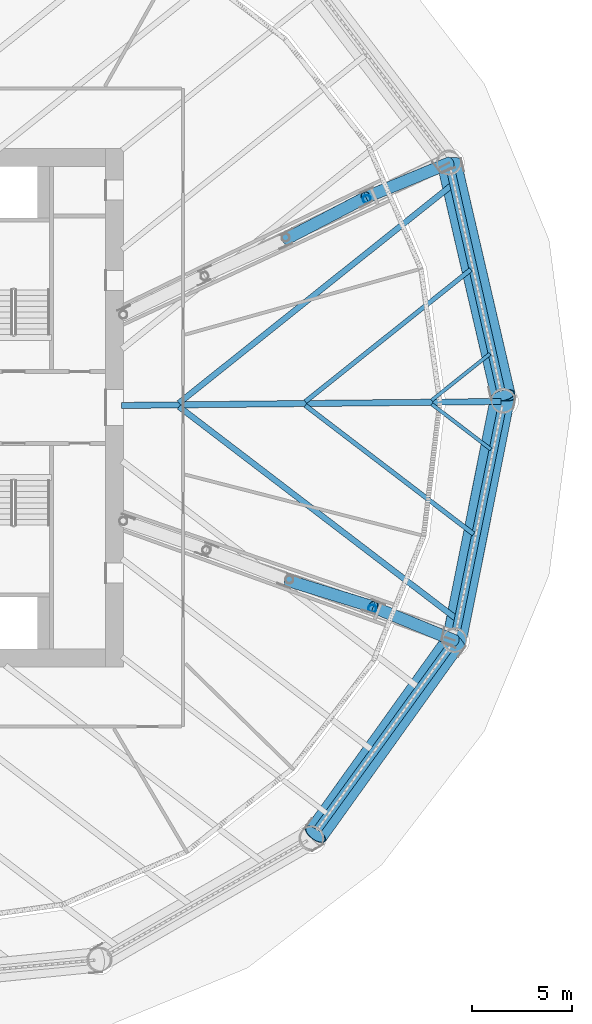
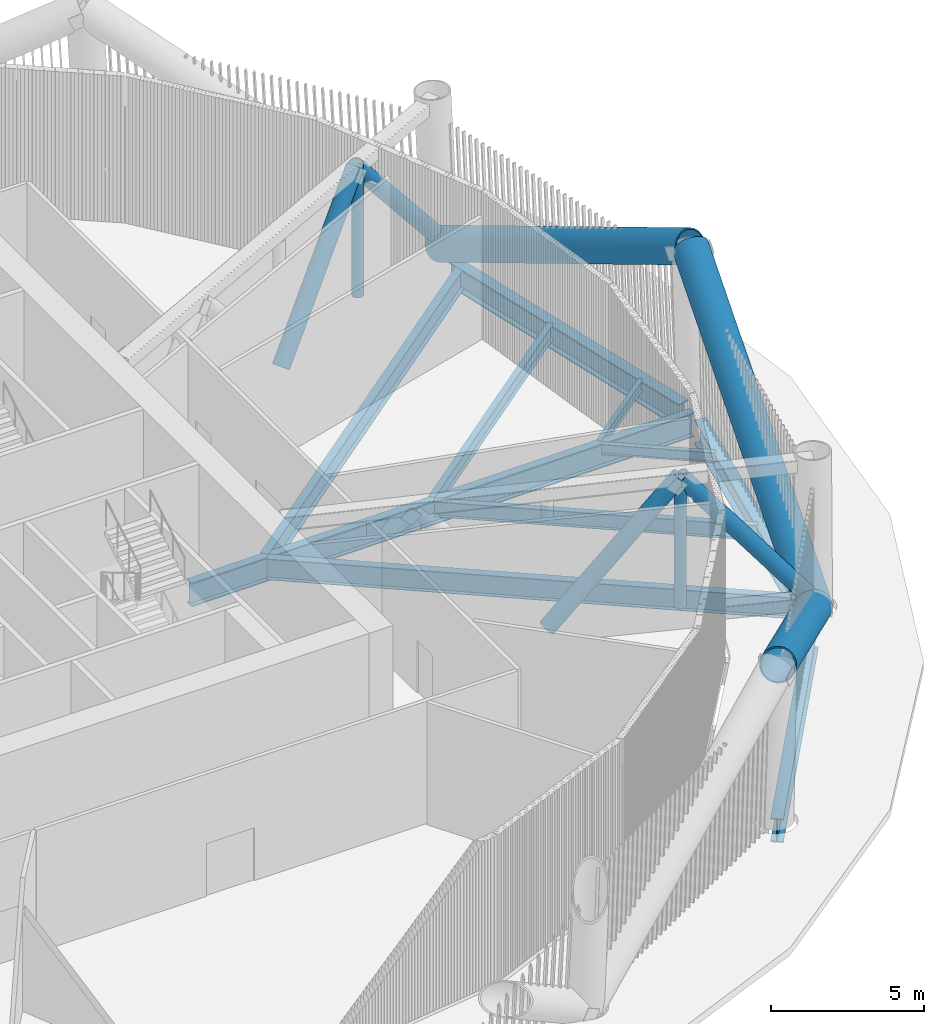
# One storey, part 8 of 48: 10 beams, 9 members.
"""IFC4 building model written with IfcOpenShell, lengths in metres."""

from ifc_helpers import new_model, si_unit, direction, frame, origin, origin_2d, place, context, subcontext, project, spatial, hollow_circle, i_section, extrude, material, material_profile, profile_set, type_object, element, save


model = new_model("IFC4")

# Units and contexts
model_context = context("Model", 3, precision=1e-05, world=origin(), true_north=direction((0.0, 1.0)))
body_context = subcontext(model_context, "Body", "Model", "MODEL_VIEW")
ifc_project = project(units=[si_unit("LENGTHUNIT", "METRE"), si_unit("AREAUNIT", "SQUARE_METRE"), si_unit("VOLUMEUNIT", "CUBIC_METRE"), si_unit("PLANEANGLEUNIT", "RADIAN"), si_unit("MASSUNIT", "GRAM", prefix="KILO")], contexts=[model_context])

# Site, building, storey
site_placement = place(None, origin())
site = spatial("IfcSite", under=ifc_project, at=site_placement, CompositionType="ELEMENT")
building_placement = place(site_placement, origin())
building = spatial("IfcBuilding", under=site, at=building_placement, Name="Tarsis Ring Headquarters", CompositionType="ELEMENT")
storey_placement = place(building_placement, frame((0.0, 0.0, 34.0)))
storey = spatial("IfcBuildingStorey", under=building, at=storey_placement, Name="L06", CompositionType="ELEMENT", Elevation=34.0)

# Beams
ifc_material_1 = material(Name="Structural steel S355", Category="steel")
ifc_material_profile_1 = material_profile(ifc_material_1, i_section(OverallWidth=0.177734375, OverallDepth=0.406494140625, WebThickness=0.0078125, FlangeThickness=0.0126953125, at=origin_2d()), Name="W16x40")
ifc_profile_set_1 = profile_set([ifc_material_profile_1], Name="Structural steel S355")
beam_type_1 = type_object("IfcBeamType", Name="FB Floor beam W16x40", PredefinedType="JOIST", material=ifc_profile_set_1)
beam_1_placement = place(storey_placement, frame((25.457763671875, 0.173095703125, -0.503173828125), z_axis=(0.794430059285, -0.607355646146, 0.0), x_axis=(0.607355646146, 0.794430059285, 0.0)))
element("IfcBeam", 1, at=beam_1_placement, inside=storey, type_object=beam_type_1, Name="Floor beam FB1", PredefinedType="JOIST", context=body_context, shape_type="SweptSolid", body=[
    extrude(i_section(OverallWidth=0.177734375, OverallDepth=0.406494140625, WebThickness=0.0078125, FlangeThickness=0.0126953125, at=origin_2d()), origin(), (0.0, 0.0, 1.0), 3.741455078125),
])
beam_2_placement = place(storey_placement, frame((28.3798828125, 2.6943359375, -0.503173828125), z_axis=(-0.781492268152, -0.623914925947, 0.0), x_axis=(0.623914925947, -0.781492268152, 0.0)))
element("IfcBeam", 2, at=beam_2_placement, inside=storey, type_object=beam_type_1, Name="Floor beam FB1", PredefinedType="JOIST", context=body_context, shape_type="SweptSolid", body=[
    extrude(i_section(OverallWidth=0.177734375, OverallDepth=0.406494140625, WebThickness=0.0078125, FlangeThickness=0.0126953125, at=origin_2d()), origin(), (0.0, 0.0, 1.0), 3.74169921875),
])
ifc_material_profile_2 = material_profile(ifc_material_1, i_section(OverallWidth=0.228271484375, OverallDepth=0.607177734375, WebThickness=0.01123046875, FlangeThickness=0.017333984375, at=origin_2d()), Name="W24x76")
ifc_profile_set_2 = profile_set([ifc_material_profile_2], Name="Structural steel S355")
beam_type_2 = type_object("IfcBeamType", Name="FB Floor beam W24x76", PredefinedType="JOIST", material=ifc_profile_set_2)
beam_3_placement = place(storey_placement, frame((19.123291015625, 0.10693359375, -0.603515625), z_axis=(0.794413286747, -0.607377584242, 0.0), x_axis=(0.607377584242, 0.794413286747, 0.0)))
element("IfcBeam", 3, at=beam_3_placement, inside=storey, type_object=beam_type_2, Name="Floor beam FB4", PredefinedType="JOIST", context=body_context, shape_type="SweptSolid", body=[
    extrude(i_section(OverallWidth=0.228271484375, OverallDepth=0.607177734375, WebThickness=0.01123046875, FlangeThickness=0.017333984375, at=origin_2d()), origin(), (0.0, 0.0, 1.0), 10.621337890625),
])
beam_4_placement = place(storey_placement, frame((27.422119140625, 6.919921875, -0.603515625), z_axis=(-0.781529924884, -0.623867755626, 0.0), x_axis=(0.623867755626, -0.781529924884, 0.0)))
element("IfcBeam", 4, at=beam_4_placement, inside=storey, type_object=beam_type_2, Name="Floor beam FB4", PredefinedType="JOIST", context=body_context, shape_type="SweptSolid", body=[
    extrude(i_section(OverallWidth=0.228271484375, OverallDepth=0.607177734375, WebThickness=0.01123046875, FlangeThickness=0.017333984375, at=origin_2d()), origin(), (0.0, 0.0, 1.0), 10.62109375),
])
ifc_material_profile_3 = material_profile(ifc_material_1, i_section(OverallWidth=0.2919921875, OverallDepth=0.835693359375, WebThickness=0.013916015625, FlangeThickness=0.018798828125, at=origin_2d()), Name="W33x118")
ifc_profile_set_3 = profile_set([ifc_material_profile_3], Name="Structural steel S355")
beam_type_3 = type_object("IfcBeamType", Name="FB Floor beam W33x118", PredefinedType="JOIST", material=ifc_profile_set_3)
for number, where, z_axis, x_axis, name in (
    (5, (12.7890625, 0.04052734375, -0.7177734375), (0.794418016719, -0.607371397674, 0.0), (0.607371397674, 0.794418016719, 0.0), "Floor beam FB7"),
    (6, (26.46435546875, 11.145751953125, -0.7177734375), (-0.781518942379, -0.623881513353, 0.0), (0.623881513353, -0.781518942379, 0.0), "Floor beam FB7"),
):
    element("IfcBeam", number, at=place(storey_placement, frame(where, z_axis=z_axis, x_axis=x_axis)), inside=storey, type_object=beam_type_3, Name=name, PredefinedType="JOIST", context=body_context, shape_type="SweptSolid", body=[
        extrude(i_section(OverallWidth=0.2919921875, OverallDepth=0.835693359375, WebThickness=0.013916015625, FlangeThickness=0.018798828125, at=origin_2d()), origin(), (0.0, 0.0, 1.0), 17.500732421875),
    ])
ifc_material_profile_4 = material_profile(ifc_material_1, i_section(OverallWidth=0.309814453125, OverallDepth=0.949951171875, WebThickness=0.0244140625, FlangeThickness=0.0439453125, at=origin_2d()), Name="W36x256")
ifc_profile_set_4 = profile_set([ifc_material_profile_4], Name="Structural steel S355")
beam_type_4 = type_object("IfcBeamType", Name="FB Floor beam W36x256 spine", PredefinedType="BEAM", material=ifc_profile_set_4)
beam_5_placement = place(storey_placement, frame((28.929931640625, 0.302978515625, -0.77490234375), z_axis=(-0.999945208169, -0.01046807818, 0.0), x_axis=(0.01046807818, -0.999945208169, 0.0)))
element("IfcBeam", 7, at=beam_5_placement, inside=storey, type_object=beam_type_4, Name="Floor beam SB11", PredefinedType="BEAM", context=body_context, shape_type="SweptSolid", body=[
    extrude(i_section(OverallWidth=0.309814453125, OverallDepth=0.949951171875, WebThickness=0.0244140625, FlangeThickness=0.0439453125, at=origin_2d()), origin(), (0.0, 0.0, 1.0), 19.031005859375),
])

# Members
ifc_material_profile_5 = material_profile(ifc_material_1, hollow_circle(Radius=0.3046875, WallThickness=0.02490234375, at=origin_2d()), Name="CHS 610x25")
ifc_profile_set_5 = profile_set([ifc_material_profile_5], Name="Structural steel S355")
member_type_1 = type_object("IfcMemberType", Name="OD Outrigger diagonal CHS 610x25", PredefinedType="BRACE", material=ifc_profile_set_5)
member_1_placement = place(storey_placement, frame((18.297607421875, -8.6884765625, 0.25390625), z_axis=(0.610221070793, -0.189258705459, 0.769292783775), x_axis=(0.296227533583, 0.955117400296, 0.0)))
element("IfcMember", 8, at=member_1_placement, inside=storey, type_object=member_type_1, Name="Outrigger diagonal OD1", PredefinedType="BRACE", context=body_context, shape_type="SweptSolid", body=[
    extrude(hollow_circle(Radius=0.3046875, WallThickness=0.02490234375, at=origin_2d()), origin(), (0.0, 0.0, 1.0), 6.93115234375),
])
member_2_placement = place(storey_placement, frame((22.527099609375, -10.000244140625, 5.5859375), z_axis=(0.588319105647, -0.243476477978, -0.771102998699), x_axis=(0.382397505034, 0.92399791566, 0.0)))
element("IfcMember", 9, at=member_2_placement, inside=storey, type_object=member_type_1, Name="Outrigger diagonal OD1", PredefinedType="BRACE", context=body_context, shape_type="SweptSolid", body=[
    extrude(hollow_circle(Radius=0.3046875, WallThickness=0.02490234375, at=origin_2d()), origin(), (0.0, 0.0, 1.0), 6.914794921875),
])
member_3_placement = place(storey_placement, frame((18.166748046875, 8.458984375, 0.25390625), z_axis=(0.572453674465, 0.298569626573, 0.763644530315), x_axis=(-0.462441997561, 0.886649535551, 0.0)))
element("IfcMember", 10, at=member_3_placement, inside=storey, type_object=member_type_1, Name="Outrigger diagonal OD1", PredefinedType="BRACE", context=body_context, shape_type="SweptSolid", body=[
    extrude(hollow_circle(Radius=0.3046875, WallThickness=0.02490234375, at=origin_2d()), origin(), (0.0, 0.0, 1.0), 6.982421875),
])
member_4_placement = place(storey_placement, frame((22.163818359375, 10.543701171875, 5.5859375), z_axis=(0.5971037569, 0.246008146212, -0.763509721938), x_axis=(-0.380937663174, 0.924600722894, 0.0)))
element("IfcMember", 11, at=member_4_placement, inside=storey, type_object=member_type_1, Name="Outrigger diagonal OD1", PredefinedType="BRACE", context=body_context, shape_type="SweptSolid", body=[
    extrude(hollow_circle(Radius=0.3046875, WallThickness=0.02490234375, at=origin_2d()), origin(), (0.0, 0.0, 1.0), 6.983642578125),
])
ifc_material_profile_6 = material_profile(ifc_material_1, hollow_circle(Radius=0.203125, WallThickness=0.01611328125, at=origin_2d()), Name="CHS 406x16")
ifc_profile_set_6 = profile_set([ifc_material_profile_6], Name="Structural steel S355")
member_type_2 = type_object("IfcMemberType", Name="OV Outrigger post CHS 406x16", PredefinedType="STRUT", material=ifc_profile_set_6)
for number, where, z_axis, x_axis, name in (
    (12, (22.486572265625, -10.09326171875, 0.508056640625), (0.0, 0.0, 1.0), (1.0, 0.0, 0.0), "Outrigger post OV1"),
    (13, (22.20703125, 10.451904296875, 0.508056640625), (0.0, 0.0, 1.0), (1.0, 0.0, 0.0), "Outrigger post OV1"),
):
    element("IfcMember", number, at=place(storey_placement, frame(where, z_axis=z_axis, x_axis=x_axis)), inside=storey, type_object=member_type_2, Name=name, PredefinedType="STRUT", context=body_context, shape_type="SweptSolid", body=[
        extrude(hollow_circle(Radius=0.203125, WallThickness=0.01611328125, at=origin_2d()), origin(), (0.0, 0.0, 1.0), 4.823974609375),
    ])
ifc_material_2 = material(Name="Structural steel S460", Category="steel")
ifc_material_profile_7 = material_profile(ifc_material_2, hollow_circle(Radius=0.609619140625, WallThickness=0.050048828125, at=origin_2d()), Name="CHS 1219x50")
ifc_profile_set_7 = profile_set([ifc_material_profile_7], Name="Structural steel S460")
member_type_3 = type_object("IfcMemberType", Name="TD Belt truss diagonal CHS 1219x50", PredefinedType="BRACE", material=ifc_profile_set_7)
member_5_placement = place(storey_placement, frame((26.590087890625, -11.69580078125, 0.0), z_axis=(-0.520420523771, -0.726536699783, 0.448672377472), x_axis=(0.812957030486, -0.582323678536, 0.0)))
element("IfcMember", 14, at=member_5_placement, inside=storey, type_object=member_type_3, Name="Belt truss diagonal TD1", PredefinedType="BRACE", context=body_context, shape_type="SweptSolid", body=[
    extrude(hollow_circle(Radius=0.609619140625, WallThickness=0.050048828125, at=origin_2d()), origin(), (0.0, 0.0, 1.0), 13.372802734375),
])
member_6_placement = place(storey_placement, frame((26.590087890625, -11.69580078125, 0.0), z_axis=(0.176323984457, 0.884744740008, 0.431435507965), x_axis=(-0.980713671334, 0.195449980453, 0.0)))
element("IfcMember", 15, at=member_6_placement, inside=storey, type_object=member_type_3, Name="Belt truss diagonal TD1", PredefinedType="BRACE", context=body_context, shape_type="SweptSolid", body=[
    extrude(hollow_circle(Radius=0.609619140625, WallThickness=0.050048828125, at=origin_2d()), origin(), (0.0, 0.0, 1.0), 13.906982421875),
])
member_7_placement = place(storey_placement, frame((26.339111328125, 12.25, 0.0), z_axis=(0.202134926578, -0.870538460887, 0.448669432404), x_axis=(0.974085949763, 0.226178165334, 0.0)))
element("IfcMember", 16, at=member_7_placement, inside=storey, type_object=member_type_3, Name="Belt truss diagonal TD1", PredefinedType="BRACE", context=body_context, shape_type="SweptSolid", body=[
    extrude(hollow_circle(Radius=0.609619140625, WallThickness=0.050048828125, at=origin_2d()), origin(), (0.0, 0.0, 1.0), 13.372802734375),
])

# Beams
ifc_material_profile_8 = material_profile(ifc_material_1, i_section(OverallWidth=0.42431640625, OverallDepth=0.947509765625, WebThickness=0.02392578125, FlangeThickness=0.042724609375, at=origin_2d()), Name="W36x302")
ifc_profile_set_8 = profile_set([ifc_material_profile_8], Name="Structural steel S355")
beam_type_5 = type_object("IfcBeamType", Name="XG Ring girder W36x302", PredefinedType="BEAM", material=ifc_profile_set_8)
for number, where, z_axis, x_axis, name in (
    (17, (19.72705078125, -21.171630859375, -0.773681640625), (0.586566764164, 0.809900877378, 0.0), (-0.809900877378, 0.586566764164, 0.0), "Ring girder XG1"),
    (18, (26.699951171875, -11.158203125, -0.773681640625), (0.20058535827, 0.979676229194, 0.0), (-0.979676229194, 0.20058535827, 0.0), "Ring girder XG1"),
    (19, (28.925537109375, 0.83935546875, -0.773681640625), (-0.221057087118, 0.975260869837, 0.0), (-0.975260869837, -0.221057087118, 0.0), "Ring girder XG1"),
):
    element("IfcBeam", number, at=place(storey_placement, frame(where, z_axis=z_axis, x_axis=x_axis)), inside=storey, type_object=beam_type_5, Name=name, PredefinedType="BEAM", context=body_context, shape_type="SweptSolid", body=[
        extrude(i_section(OverallWidth=0.42431640625, OverallDepth=0.947509765625, WebThickness=0.02392578125, FlangeThickness=0.042724609375, at=origin_2d()), origin(), (0.0, 0.0, 1.0), 11.1513671875),
    ])

save(model, "model.ifc")
